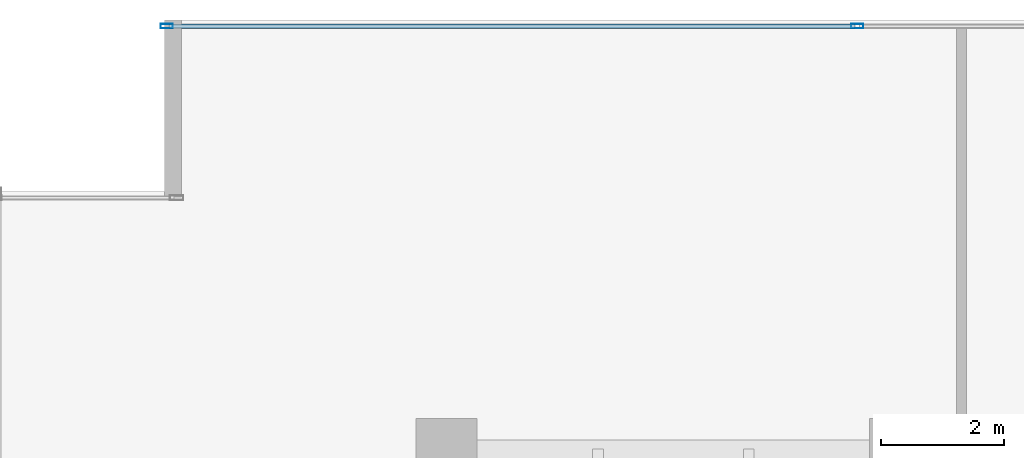
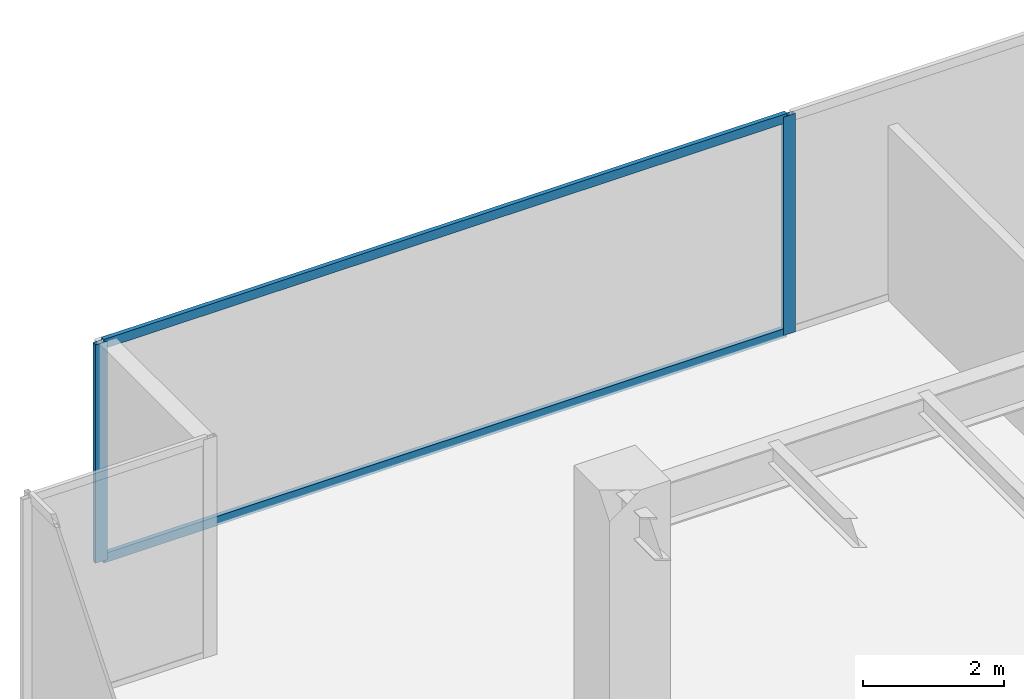
# One storey, part 15 of 35: 4 members, 1 element without a shape of its own.
"""IFC4 building model written with IfcOpenShell, lengths in metres."""

from ifc_helpers import new_model, si_unit, direction, frame, origin, origin_2d, place, context, subcontext, project, spatial, hollow_rectangle, extrude, source, transform, mapped, material, layer, layer_set, material_profile, profile_set, type_object, type_shapes, element, aggregate, save


model = new_model("IFC4")

# Units and contexts
model_context = context("Model", 3, precision=1e-05, world=origin(), true_north=direction((0.0, 1.0)))
body_context = subcontext(model_context, "Body", "Model", "MODEL_VIEW")
ifc_project = project(units=[si_unit("LENGTHUNIT", "METRE"), si_unit("AREAUNIT", "SQUARE_METRE"), si_unit("VOLUMEUNIT", "CUBIC_METRE"), si_unit("PLANEANGLEUNIT", "RADIAN"), si_unit("MASSUNIT", "GRAM", prefix="KILO")], contexts=[model_context])

# Site, building, storey
site_placement = place(None, origin())
site = spatial("IfcSite", under=ifc_project, at=site_placement, CompositionType="ELEMENT")
building_placement = place(site_placement, origin())
building = spatial("IfcBuilding", under=site, at=building_placement, Name="Haelvirn Gate Laboratories", CompositionType="ELEMENT")
storey_placement = place(building_placement, frame((0.0, 0.0, 37.5)))
storey = spatial("IfcBuildingStorey", under=building, at=storey_placement, Name="L09", CompositionType="ELEMENT", Elevation=37.5)

# Curtain wall, members
ifc_material_1 = material(Name="Anodised bronze unitised aluminium & triple low-E glass", Category="aluminium")
ifc_layer = layer(ifc_material_1, 0.18408203125, Name="CW-SYS-2")
ifc_layer_set = layer_set([ifc_layer], Name="Anodised bronze unitised aluminium & triple low-E glass")
curtain_wall_type = type_object("IfcCurtainWallType", Name="CW-SYS-2", PredefinedType="NOTDEFINED", material=ifc_layer_set)
curtain_wall_placement = place(storey_placement, origin())
curtain_wall = element("IfcCurtainWall", 1, at=curtain_wall_placement, inside=storey, type_object=curtain_wall_type, Name="L09 Unitised Curtain Wall CW-L09-P0-E14-1", PredefinedType="NOTDEFINED")
ifc_material_2 = material(Name="Extruded aluminium 6063-T6 (anodised bronze)", Category="aluminium")
ifc_material_profile_1 = material_profile(ifc_material_2, hollow_rectangle(XDim=0.074951171875, YDim=0.199951171875, WallThickness=0.0048828125, at=origin_2d()), Name="CWM-200x75x5")
ifc_profile_set_1 = profile_set([ifc_material_profile_1], Name="Extruded aluminium 6063-T6 (anodised bronze)")
member_type_1 = type_object("IfcMemberType", Name="CWM-T200", PredefinedType="MULLION", material=ifc_profile_set_1)
shared_shape_1 = source(origin(), body_context, "Body", "SweptSolid", [
    extrude(hollow_rectangle(XDim=0.074951171875, YDim=0.199951171875, WallThickness=0.0048828125, at=origin_2d()), origin(), (0.0, 0.0, 1.0), 3.780029296875),
])
type_shapes(member_type_1, [shared_shape_1])
member_1_placement = place(storey_placement, frame((2.83740234375, 48.5, 0.0), z_axis=(0.0, 0.0, 1.0), x_axis=(0.0, 1.0, 0.0)))
member_1 = element("IfcMember", 2, at=member_1_placement, type_object=member_type_1, Name="CW2 mullion 1", PredefinedType="MULLION", context=body_context, shape_type="MappedRepresentation", body=[
    mapped(shared_shape_1, transform((0.0, 0.0, 0.0), scale=1.0)),
])
member_2_placement = place(storey_placement, frame((14.10009765625, 48.5, 0.0), z_axis=(0.0, 0.0, 1.0), x_axis=(0.0, 1.0, 0.0)))
member_2 = element("IfcMember", 3, at=member_2_placement, type_object=member_type_1, Name="CW2 mullion 2", PredefinedType="MULLION", context=body_context, shape_type="MappedRepresentation", body=[
    mapped(shared_shape_1, transform((0.0, 0.0, 0.0), scale=1.0)),
])
ifc_material_profile_2 = material_profile(ifc_material_2, hollow_rectangle(XDim=0.070068359375, YDim=0.159912109375, WallThickness=0.0048828125, at=origin_2d()), Name="CWT-160x70x5")
ifc_profile_set_2 = profile_set([ifc_material_profile_2], Name="Extruded aluminium 6063-T6 (anodised bronze)")
member_type_2 = type_object("IfcMemberType", Name="CWT-T160", PredefinedType="USERDEFINED", material=ifc_profile_set_2)
shared_shape_2 = source(origin(), body_context, "Body", "SweptSolid", [
    extrude(hollow_rectangle(XDim=0.070068359375, YDim=0.159912109375, WallThickness=0.0048828125, at=origin_2d()), origin(), (0.0, 0.0, 1.0), 11.1875),
])
type_shapes(member_type_2, [shared_shape_2])
member_3_placement = place(storey_placement, frame((2.875, 48.5, 0.034912109375), z_axis=(1.0, 0.0, 0.0), x_axis=(0.0, 1.0, 0.0)))
member_3 = element("IfcMember", 4, at=member_3_placement, type_object=member_type_2, Name="CW2 transom 1.1", ObjectType="TRANSOM", PredefinedType="USERDEFINED", context=body_context, shape_type="MappedRepresentation", body=[
    mapped(shared_shape_2, transform((0.0, 0.0, 0.0), scale=1.0)),
])
member_4_placement = place(storey_placement, frame((2.875, 48.5, 3.7451171875), z_axis=(1.0, 0.0, 0.0), x_axis=(0.0, 1.0, 0.0)))
member_4 = element("IfcMember", 5, at=member_4_placement, type_object=member_type_2, Name="CW2 transom 1.2", ObjectType="TRANSOM", PredefinedType="USERDEFINED", context=body_context, shape_type="MappedRepresentation", body=[
    mapped(shared_shape_2, transform((0.0, 0.0, 0.0), scale=1.0)),
])
aggregate(curtain_wall, [member_1, member_2, member_3, member_4])

save(model, "model.ifc")
